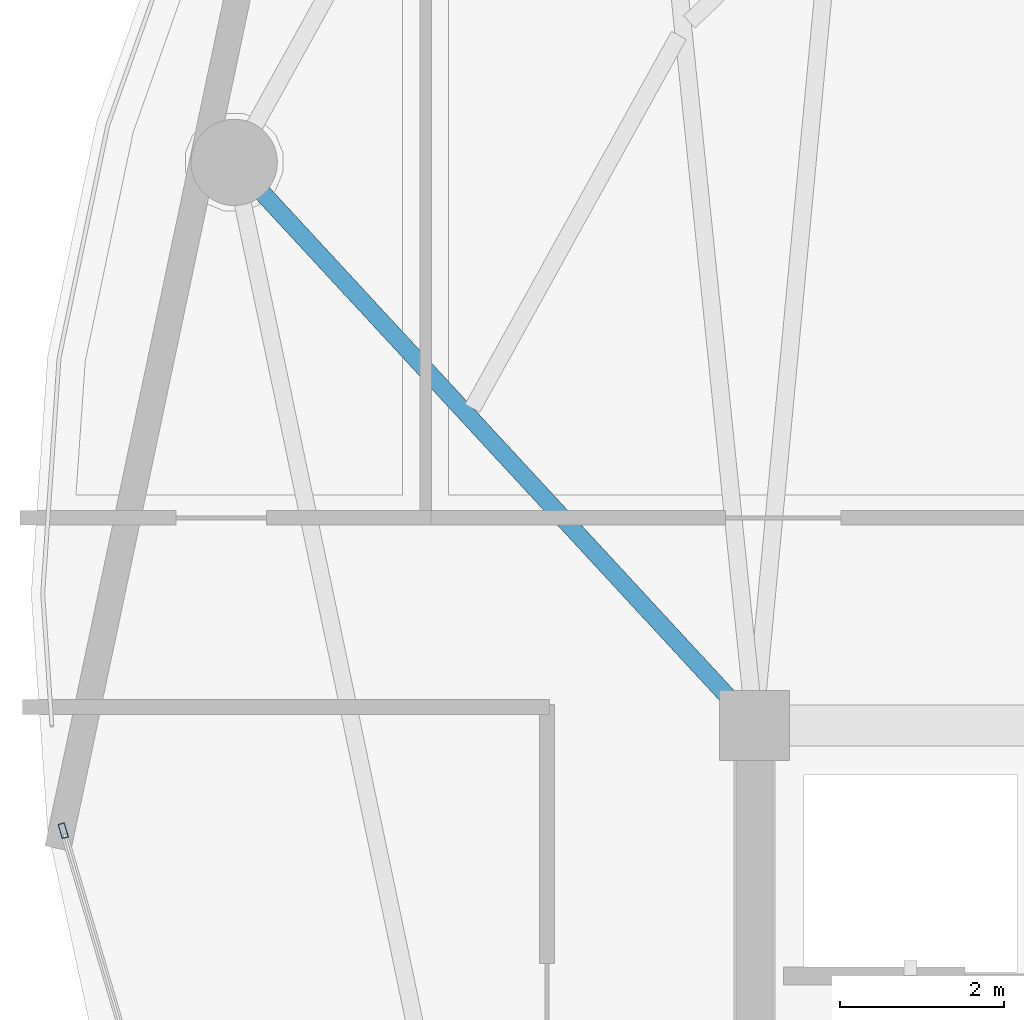
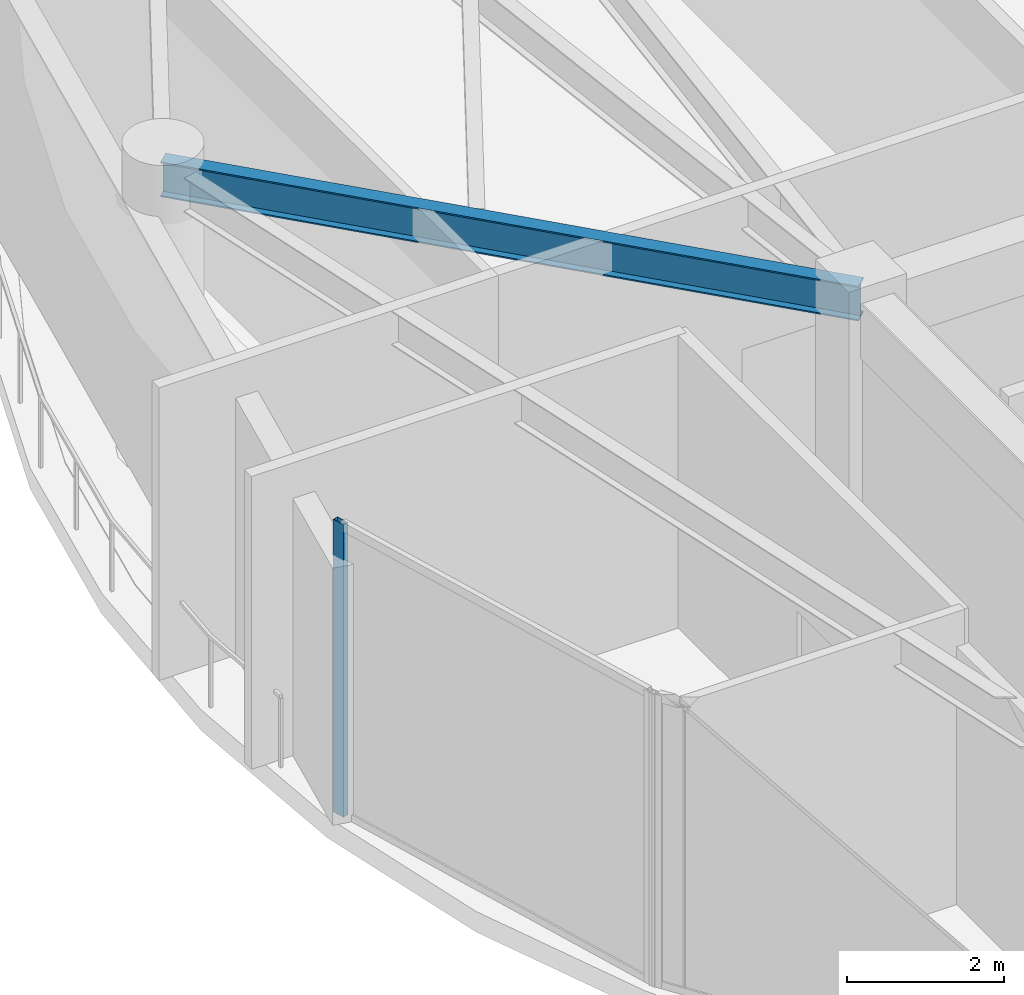
# One storey, part 7 of 28: 1 beam, 1 member, 1 element without a shape of its own.
"""IFC4 building model written with IfcOpenShell, lengths in metres."""

from ifc_helpers import new_model, si_unit, direction, frame, origin, origin_2d, place, context, subcontext, project, spatial, hollow_rectangle, i_section, extrude, material, layer, layer_set, material_profile, profile_set, type_object, element, aggregate, save


model = new_model("IFC4")

# Units and contexts
model_context = context("Model", 3, precision=1e-05, world=origin(), true_north=direction((0.0, 1.0)))
body_context = subcontext(model_context, "Body", "Model", "MODEL_VIEW")
ifc_project = project(units=[si_unit("LENGTHUNIT", "METRE"), si_unit("AREAUNIT", "SQUARE_METRE"), si_unit("VOLUMEUNIT", "CUBIC_METRE"), si_unit("PLANEANGLEUNIT", "RADIAN"), si_unit("MASSUNIT", "GRAM", prefix="KILO")], contexts=[model_context])

# Site, building, storey
site_placement = place(None, origin())
site = spatial("IfcSite", under=ifc_project, at=site_placement, CompositionType="ELEMENT")
building_placement = place(site_placement, origin())
building = spatial("IfcBuilding", under=site, at=building_placement, Name="Kazevale Care Tower and Concert Hall", CompositionType="ELEMENT")
storey_placement = place(building_placement, frame((0.0, 0.0, 190.800048828125)))
storey = spatial("IfcBuildingStorey", under=building, at=storey_placement, Name="L50", CompositionType="ELEMENT", Elevation=190.800048828125)

# Curtain wall, member
ifc_material_1 = material(Name="Aluminium 6063-T6 and Low-E Glass", Category="aluminium")
ifc_layer = layer(ifc_material_1, 0.179931640625)
ifc_layer_set = layer_set([ifc_layer], Name="Aluminium 6063-T6 and Low-E Glass")
curtain_wall_type = type_object("IfcCurtainWallType", Name="Waist & Upper Residential Curtain Wall CW-4", PredefinedType="NOTDEFINED", material=ifc_layer_set)
curtain_wall_placement = place(storey_placement, origin())
curtain_wall = element("IfcCurtainWall", 1, at=curtain_wall_placement, inside=storey, type_object=curtain_wall_type, Name="cw:L50:f12", PredefinedType="NOTDEFINED")
ifc_material_2 = material(Name="Aluminium 6063-T6", Category="aluminium")
ifc_material_profile_1 = material_profile(ifc_material_2, hollow_rectangle(XDim=0.080078125, YDim=0.179931640625, WallThickness=0.0048828125, at=origin_2d()), Name="ALU80x180x5")
ifc_profile_set_1 = profile_set([ifc_material_profile_1], Name="Aluminium 6063-T6")
member_type = type_object("IfcMemberType", Name="CW-4 Mullion ALU80x180x5", PredefinedType="MULLION", material=ifc_profile_set_1)
member_placement = place(storey_placement, frame((13.59033203125, 35.11865234375, 0.0), z_axis=(0.0, 0.0, 1.0), x_axis=(-0.959385539982, -0.282098184457, 0.0)))
member = element("IfcMember", 2, at=member_placement, type_object=member_type, Name="CW-4 mullion 2", PredefinedType="MULLION", context=body_context, shape_type="SweptSolid", body=[
    extrude(hollow_rectangle(XDim=0.080078125, YDim=0.179931640625, WallThickness=0.0048828125, at=origin_2d()), origin(), (0.0, 0.0, 1.0), 4.56005859375),
])
aggregate(curtain_wall, [member])

# Beam
ifc_material_3 = material(Name="Steel ASTM A572 Gr 50", Category="steel")
ifc_material_profile_2 = material_profile(ifc_material_3, i_section(OverallWidth=0.2119140625, OverallDepth=0.5439453125, WebThickness=0.01318359375, FlangeThickness=0.021240234375, at=origin_2d()), Name="W530x123")
ifc_profile_set_2 = profile_set([ifc_material_profile_2], Name="Steel ASTM A572 Gr 50")
beam_type = type_object("IfcBeamType", Name="Radial Floor Girder W530x123", PredefinedType="BEAM", material=ifc_profile_set_2)
beam_placement = place(storey_placement, frame((22.0, 36.39990234375, 4.287841796875), z_axis=(-0.678680078581, 0.734434034435, 0.0), x_axis=(-0.734434034435, -0.678680078581, 0.0)))
element("IfcBeam", 3, at=beam_placement, inside=storey, type_object=beam_type, Name="beam:L50:rad:09", PredefinedType="BEAM", context=body_context, shape_type="SweptSolid", body=[
    extrude(i_section(OverallWidth=0.2119140625, OverallDepth=0.5439453125, WebThickness=0.01318359375, FlangeThickness=0.021240234375, at=origin_2d()), origin(), (0.0, 0.0, 1.0), 9.3271484375),
])

save(model, "model.ifc")
